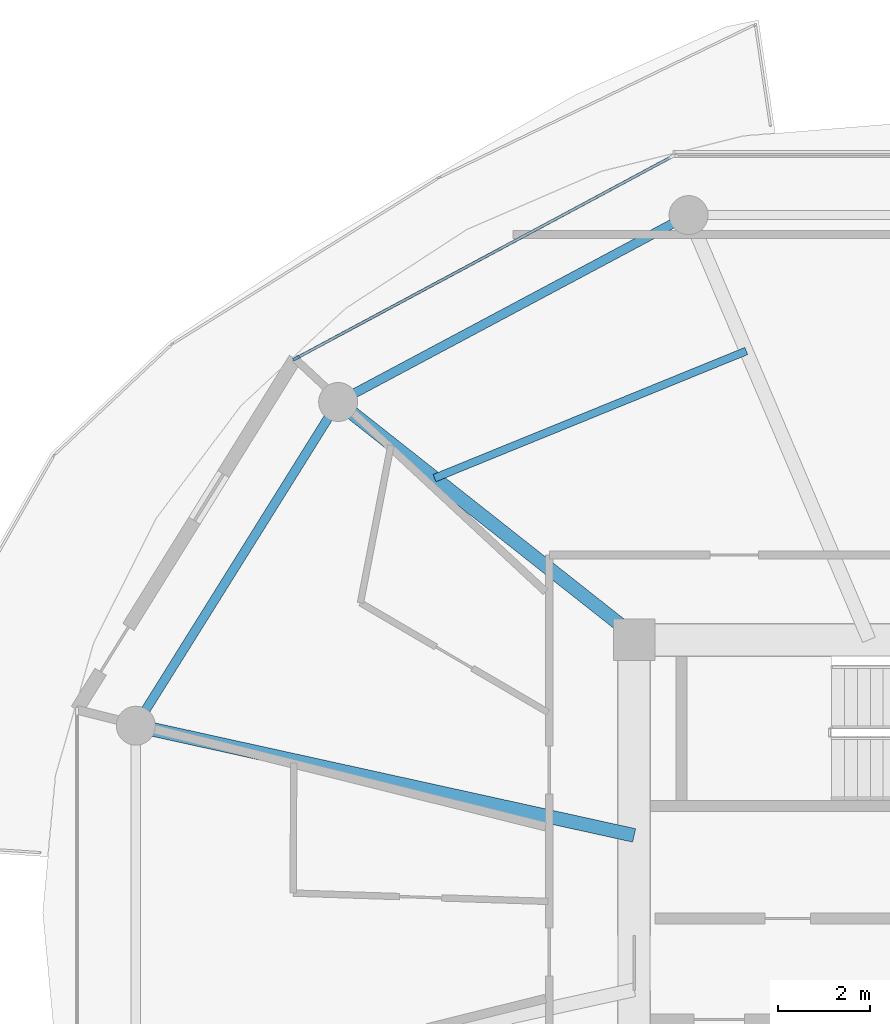
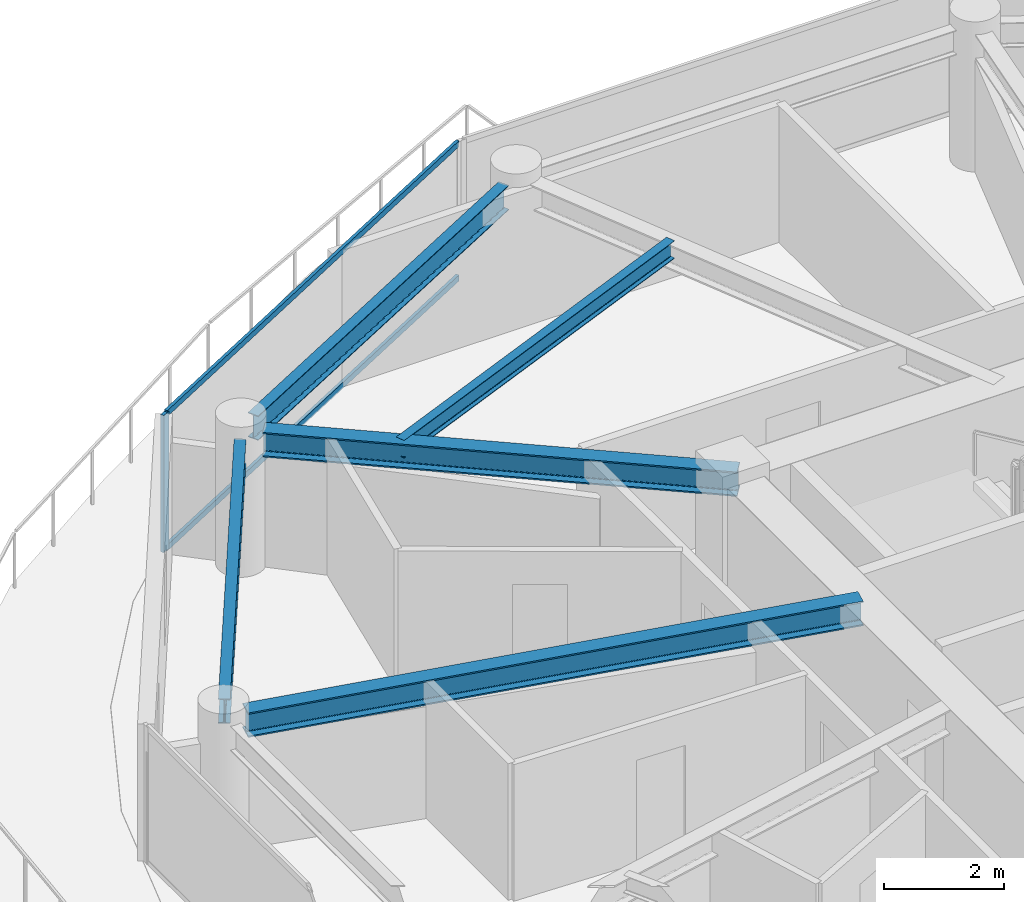
# One storey, part 8 of 22: 5 beams, 3 members, 1 element without a shape of its own.
"""IFC4 building model written with IfcOpenShell, lengths in metres."""

from ifc_helpers import new_model, si_unit, direction, frame, origin, origin_2d, place, context, subcontext, project, spatial, rectangle, i_section, extrude, source, transform, mapped, material, layer, layer_set, material_profile, profile_set, type_object, type_shapes, element, aggregate, save


model = new_model("IFC4")

# Units and contexts
model_context = context("Model", 3, precision=1e-05, world=origin(), true_north=direction((0.0, 1.0)))
body_context = subcontext(model_context, "Body", "Model", "MODEL_VIEW")
ifc_project = project(units=[si_unit("LENGTHUNIT", "METRE"), si_unit("AREAUNIT", "SQUARE_METRE"), si_unit("VOLUMEUNIT", "CUBIC_METRE"), si_unit("PLANEANGLEUNIT", "RADIAN"), si_unit("MASSUNIT", "GRAM", prefix="KILO")], contexts=[model_context])

# Site, building, storey
site_placement = place(None, origin())
site = spatial("IfcSite", under=ifc_project, at=site_placement, CompositionType="ELEMENT")
building_placement = place(site_placement, origin())
building = spatial("IfcBuilding", under=site, at=building_placement, Name="Norrkilde Senior Care Towers", CompositionType="ELEMENT")
storey_placement = place(building_placement, frame((0.0, 0.0, 123.699951171875)))
storey = spatial("IfcBuildingStorey", under=building, at=storey_placement, Name="L38", CompositionType="ELEMENT", Elevation=123.699951171875)

# Beams
ifc_material_1 = material(Name="Steel S355", Category="steel")
ifc_material_profile_1 = material_profile(ifc_material_1, i_section(OverallWidth=0.199951171875, OverallDepth=0.5, WebThickness=0.01025390625, FlangeThickness=0.01611328125, FilletRadius=0.02099609375, at=origin_2d()), Name="IPE 500")
ifc_profile_set_1 = profile_set([ifc_material_profile_1], Name="Steel S355")
beam_type_1 = type_object("IfcBeamType", Name="Perimeter Ring Spandrel Z2 IPE500", PredefinedType="SPANDREL", material=ifc_profile_set_1)
shared_shape_1 = source(origin(), body_context, "Body", "SweptSolid", [
    extrude(i_section(OverallWidth=0.199951171875, OverallDepth=0.5, WebThickness=0.01025390625, FlangeThickness=0.01611328125, FilletRadius=0.02099609375, at=origin_2d()), origin(), (0.0, 0.0, 1.0), 7.55615234375),
])
beam_1_placement = place(storey_placement, frame((13.689697265625, 10.810546875, 2.5400390625), z_axis=(-0.529981514254, -0.848009194849, 0.0), x_axis=(0.848009194849, -0.529981514254, 0.0)))
element("IfcBeam", 1, at=beam_1_placement, inside=storey, type_object=beam_type_1, Name="L38 Drum E Perimeter Spandrel 05", PredefinedType="SPANDREL", context=body_context, shape_type="MappedRepresentation", body=[
    mapped(shared_shape_1, transform((0.0, 0.0, 0.0), x_axis=(1.0, 0.0, 0.0), y_axis=(0.0, 1.0, 0.0), z_axis=(0.0, 0.0, 1.0), scale=1.0)),
])
ifc_material_profile_2 = material_profile(ifc_material_1, i_section(OverallWidth=0.300048828125, OverallDepth=0.5, WebThickness=0.014404296875, FlangeThickness=0.028076171875, FilletRadius=0.027099609375, at=origin_2d()), Name="HEB 500")
ifc_profile_set_2 = profile_set([ifc_material_profile_2], Name="Steel S355")
beam_type_2 = type_object("IfcBeamType", Name="Radial Floor Beam Z2 HEB500", PredefinedType="BEAM", material=ifc_profile_set_2)
shared_shape_2 = source(origin(), body_context, "Body", "SweptSolid", [
    extrude(i_section(OverallWidth=0.300048828125, OverallDepth=0.5, WebThickness=0.014404296875, FlangeThickness=0.028076171875, FilletRadius=0.027099609375, at=origin_2d()), origin(), (0.0, 0.0, 1.0), 10.744384765625),
])
beam_2_placement = place(storey_placement, frame((20.35009765625, 1.683837890625, 2.5400390625), z_axis=(-0.976618711422, 0.214978818724, 0.0), x_axis=(-0.214978818724, -0.976618711422, 0.0)))
element("IfcBeam", 2, at=beam_2_placement, inside=storey, type_object=beam_type_2, Name="L38 Drum E Radial Floor Beam 06", PredefinedType="BEAM", context=body_context, shape_type="MappedRepresentation", body=[
    mapped(shared_shape_2, transform((0.0, 0.0, 0.0), x_axis=(1.0, 0.0, 0.0), y_axis=(0.0, 1.0, 0.0), z_axis=(0.0, 0.0, 1.0), scale=1.0)),
])
shared_shape_3 = source(origin(), body_context, "Body", "SweptSolid", [
    extrude(i_section(OverallWidth=0.199951171875, OverallDepth=0.5, WebThickness=0.01025390625, FlangeThickness=0.01611328125, FilletRadius=0.02099609375, at=origin_2d()), origin(), (0.0, 0.0, 1.0), 7.892333984375),
])
type_shapes(beam_type_1, [shared_shape_1, shared_shape_3])
beam_3_placement = place(storey_placement, frame((21.197509765625, 15.0322265625, 2.5400390625), z_axis=(-0.882350372282, -0.47059305194, 0.0), x_axis=(0.47059305194, -0.882350372282, 0.0)))
element("IfcBeam", 3, at=beam_3_placement, inside=storey, type_object=beam_type_1, Name="L38 Drum E Perimeter Spandrel 04", PredefinedType="SPANDREL", context=body_context, shape_type="MappedRepresentation", body=[
    mapped(shared_shape_3, transform((0.0, 0.0, 0.0), x_axis=(1.0, 0.0, 0.0), y_axis=(0.0, 1.0, 0.0), z_axis=(0.0, 0.0, 1.0), scale=1.0)),
])
shared_shape_4 = source(origin(), body_context, "Body", "SweptSolid", [
    extrude(i_section(OverallWidth=0.300048828125, OverallDepth=0.5, WebThickness=0.014404296875, FlangeThickness=0.028076171875, FilletRadius=0.027099609375, at=origin_2d()), origin(), (0.0, 0.0, 1.0), 7.985595703125),
])
type_shapes(beam_type_2, [shared_shape_2, shared_shape_4])
beam_4_placement = place(storey_placement, frame((20.463623046875, 5.949951171875, 2.5400390625), z_axis=(-0.784858505144, 0.619675017169, 0.0), x_axis=(-0.619675017169, -0.784858505144, 0.0)))
element("IfcBeam", 4, at=beam_4_placement, inside=storey, type_object=beam_type_2, Name="L38 Drum E Radial Floor Beam 05", PredefinedType="BEAM", context=body_context, shape_type="MappedRepresentation", body=[
    mapped(shared_shape_4, transform((0.0, 0.0, 0.0), x_axis=(1.0, 0.0, 0.0), y_axis=(0.0, 1.0, 0.0), z_axis=(0.0, 0.0, 1.0), scale=1.0)),
])
ifc_material_profile_3 = material_profile(ifc_material_1, i_section(OverallWidth=0.169921875, OverallDepth=0.360107421875, WebThickness=0.008056640625, FlangeThickness=0.0126953125, FilletRadius=0.01806640625, at=origin_2d()), Name="IPE 360")
ifc_profile_set_3 = profile_set([ifc_material_profile_3], Name="Steel S355")
beam_type_3 = type_object("IfcBeamType", Name="Secondary Floor Joist IPE360", PredefinedType="JOIST", material=ifc_profile_set_3)
shared_shape_5 = source(origin(), body_context, "Body", "SweptSolid", [
    extrude(i_section(OverallWidth=0.169921875, OverallDepth=0.360107421875, WebThickness=0.008056640625, FlangeThickness=0.0126953125, FilletRadius=0.01806640625, at=origin_2d()), origin(), (0.0, 0.0, 1.0), 7.343505859375),
])
type_shapes(beam_type_3, [shared_shape_5])
beam_5_placement = place(storey_placement, frame((22.79638671875, 12.2490234375, 2.610107421875), z_axis=(-0.926021784767, -0.377470070519, 0.0), x_axis=(0.377470070519, -0.926021784767, 0.0)))
element("IfcBeam", 5, at=beam_5_placement, inside=storey, type_object=beam_type_3, Name="L38 Drum E Secondary Floor Joist 2", PredefinedType="JOIST", context=body_context, shape_type="MappedRepresentation", body=[
    mapped(shared_shape_5, transform((0.0, 0.0, 0.0), x_axis=(1.0, 0.0, 0.0), y_axis=(0.0, 1.0, 0.0), z_axis=(0.0, 0.0, 1.0), scale=1.0)),
])

# Curtain wall, members
ifc_material_2 = material(Name="Triple Low-E Insulated Glazing", Category="glass")
ifc_layer = layer(ifc_material_2, 0.195068359375)
ifc_layer_set = layer_set([ifc_layer], Name="Triple Low-E Insulated Glazing")
curtain_wall_type = type_object("IfcCurtainWallType", Name="CW3 Zone 2 Assisted Living Curtain Wall", PredefinedType="NOTDEFINED", material=ifc_layer_set)
curtain_wall_placement = place(storey_placement, origin())
curtain_wall = element("IfcCurtainWall", 6, at=curtain_wall_placement, inside=storey, type_object=curtain_wall_type, Name="L38 Drum E Curtain Wall 03", PredefinedType="NOTDEFINED")
ifc_material_3 = material(Name="Anodised Aluminium", Category="aluminium")
ifc_material_profile_4 = material_profile(ifc_material_3, rectangle(XDim=0.06494140625, YDim=0.159912109375, at=origin_2d()), Name="ALU MULL 65x160")
ifc_profile_set_4 = profile_set([ifc_material_profile_4], Name="Anodised Aluminium")
member_type_1 = type_object("IfcMemberType", Name="Curtain Wall Mullion Z1-Z2 65x160", PredefinedType="MULLION", material=ifc_profile_set_4)
shared_shape_6 = source(origin(), body_context, "Body", "SweptSolid", [
    extrude(rectangle(XDim=0.06494140625, YDim=0.159912109375, at=origin_2d()), origin(), (0.0, 0.0, 1.0), 2.7900390625),
])
type_shapes(member_type_1, [shared_shape_6])
member_1_placement = place(storey_placement, frame((12.98193359375, 12.0927734375, 0.0), z_axis=(0.0, 0.0, 1.0), x_axis=(-0.472769402511, 0.881186184668, 0.0)))
member_1 = element("IfcMember", 7, at=member_1_placement, type_object=member_type_1, Name="CW-3 mullion 1", PredefinedType="MULLION", context=body_context, shape_type="MappedRepresentation", body=[
    mapped(shared_shape_6, transform((0.0, 0.0, 0.0), x_axis=(1.0, 0.0, 0.0), y_axis=(0.0, 1.0, 0.0), z_axis=(0.0, 0.0, 1.0), scale=1.0)),
])
ifc_material_profile_5 = material_profile(ifc_material_3, rectangle(XDim=0.06005859375, YDim=0.1201171875, at=origin_2d()), Name="ALU TRAN 60x120")
ifc_profile_set_5 = profile_set([ifc_material_profile_5], Name="Anodised Aluminium")
member_type_2 = type_object("IfcMemberType", Name="Curtain Wall Transom Typical 60x120", PredefinedType="USERDEFINED", material=ifc_profile_set_5)
shared_shape_7 = source(origin(), body_context, "Body", "SweptSolid", [
    extrude(rectangle(XDim=0.06005859375, YDim=0.1201171875, at=origin_2d()), origin(), (0.0, 0.0, 1.0), 9.220458984375),
])
type_shapes(member_type_2, [shared_shape_7])
member_2_placement = place(storey_placement, frame((13.0107421875, 12.108154296875, 0.030029296875), z_axis=(0.881188517866, 0.472765053681, 0.0), x_axis=(-0.472765053681, 0.881188517866, 0.0)))
member_2 = element("IfcMember", 8, at=member_2_placement, type_object=member_type_2, Name="CW-3 transom 1.1", ObjectType="TRANSOM", PredefinedType="USERDEFINED", context=body_context, shape_type="MappedRepresentation", body=[
    mapped(shared_shape_7, transform((0.0, 0.0, 0.0), x_axis=(1.0, 0.0, 0.0), y_axis=(0.0, 1.0, 0.0), z_axis=(0.0, 0.0, 1.0), scale=1.0)),
])
member_3_placement = place(storey_placement, frame((13.0107421875, 12.108154296875, 2.760009765625), z_axis=(0.881188517866, 0.472765053681, 0.0), x_axis=(-0.472765053681, 0.881188517866, 0.0)))
member_3 = element("IfcMember", 9, at=member_3_placement, type_object=member_type_2, Name="CW-3 transom 1.2", ObjectType="TRANSOM", PredefinedType="USERDEFINED", context=body_context, shape_type="MappedRepresentation", body=[
    mapped(shared_shape_7, transform((0.0, 0.0, 0.0), x_axis=(1.0, 0.0, 0.0), y_axis=(0.0, 1.0, 0.0), z_axis=(0.0, 0.0, 1.0), scale=1.0)),
])
aggregate(curtain_wall, [member_1, member_2, member_3])

save(model, "model.ifc")
